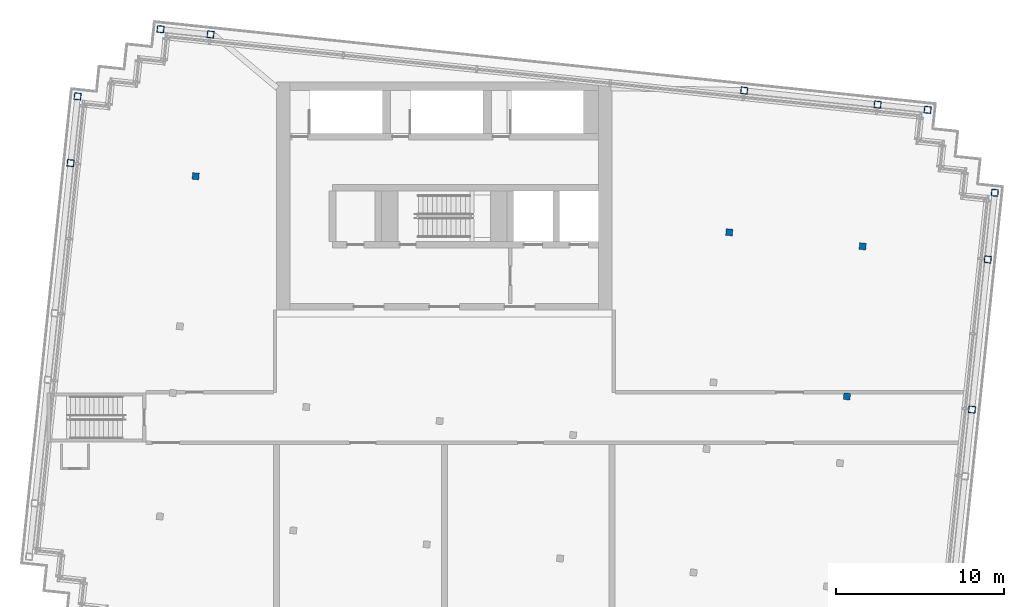
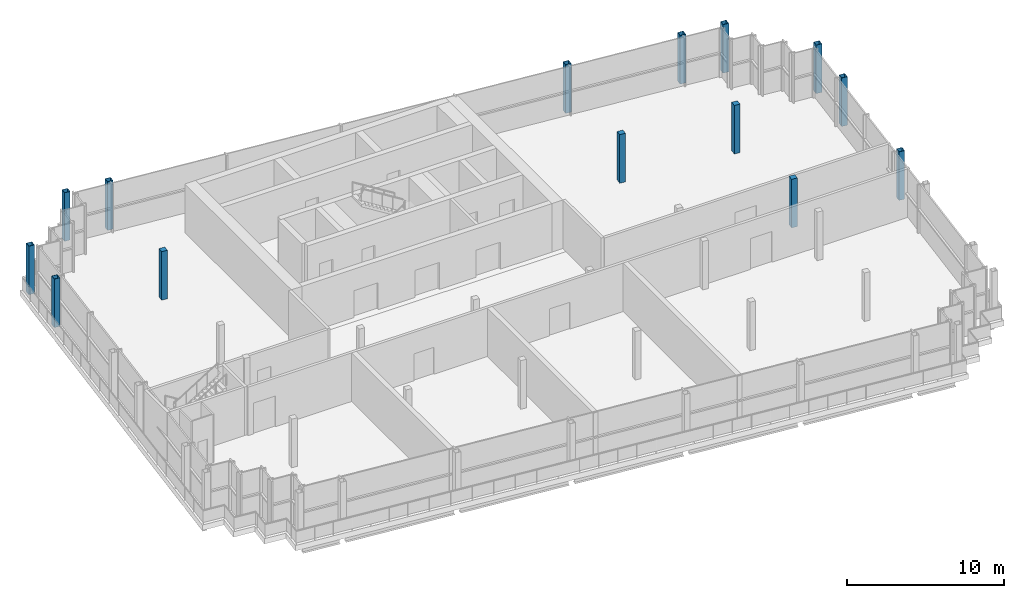
# One storey, part 2 of 13: 14 columns.
"""IFC4 building model written with IfcOpenShell, lengths in metres."""

from ifc_helpers import new_model, si_unit, direction, frame, origin, origin_2d, place, context, subcontext, project, spatial, rectangle, hollow_rectangle, extrude, material, material_profile, profile_set, type_object, element, save


model = new_model("IFC4")

# Units and contexts
model_context = context("Model", 3, precision=1e-05, world=origin(), true_north=direction((0.0, 1.0)))
body_context = subcontext(model_context, "Body", "Model", "MODEL_VIEW")
ifc_project = project(units=[si_unit("LENGTHUNIT", "METRE"), si_unit("AREAUNIT", "SQUARE_METRE"), si_unit("VOLUMEUNIT", "CUBIC_METRE"), si_unit("PLANEANGLEUNIT", "RADIAN"), si_unit("MASSUNIT", "GRAM", prefix="KILO")], contexts=[model_context])

# Site, building, storey
site_placement = place(None, origin())
site = spatial("IfcSite", under=ifc_project, at=site_placement, CompositionType="ELEMENT")
building_placement = place(site_placement, origin())
building = spatial("IfcBuilding", under=site, at=building_placement, Name="Vidyagriha Tower", CompositionType="ELEMENT")
storey_placement = place(building_placement, frame((0.0, 0.0, 309.199951171875)))
storey = spatial("IfcBuildingStorey", under=building, at=storey_placement, Name="L79", CompositionType="ELEMENT", Elevation=309.199951171875)

# Columns
ifc_material_1 = material(Name="Steel ASTM A572 Grade 50", Category="steel")
ifc_material_profile_1 = material_profile(ifc_material_1, hollow_rectangle(XDim=0.39990234375, YDim=0.39990234375, WallThickness=0.02001953125, at=origin_2d()), Name="BOX 400x400x20")
ifc_profile_set_1 = profile_set([ifc_material_profile_1], Name="Steel ASTM A572 Grade 50")
column_type_1 = type_object("IfcColumnType", Name="Exoskeleton column BOX 400x400x20", PredefinedType="COLUMN", material=ifc_profile_set_1)
for number, where, z_axis, x_axis, name in (
    (1, (31.4677734375, 0.47412109375, 0.0), (0.0, 0.0, 1.0), (0.994521895368, -0.104528463268, 0.0), "st-col-L79-B6-031"),
    (2, (-22.2900390625, 15.173828125, 0.0), (0.0, 0.0, 1.0), (0.994521895368, -0.104528463268, 0.0), "st-col-L79-B6-032"),
    (3, (32.40869140625, 9.4248046875, 0.0), (0.0, 0.0, 1.0), (0.994521895368, -0.104528463268, 0.0), "st-col-L79-B6-036"),
    (4, (-21.8720703125, 19.15185546875, 0.0), (0.0, 0.0, 1.0), (0.994521895368, -0.104528463268, 0.0), "st-col-L79-B6-037"),
    (5, (32.82666015625, 13.40283203125, 0.0), (0.0, 0.0, 1.0), (0.994521895368, -0.104528463268, 0.0), "st-col-L79-B6-038"),
    (6, (-16.92626953125, 23.156982421875, 0.0), (0.0, 0.0, 1.0), (0.994521895368, -0.104528463268, 0.0), "st-col-L79-B6-039"),
    (7, (-13.942626953125, 22.84326171875, 0.0), (0.0, 0.0, 1.0), (0.994521895368, -0.104528463268, 0.0), "st-col-L79-B6-040"),
    (8, (17.882080078125, 19.498291015625, 0.0), (0.0, 0.0, 1.0), (0.994521895368, -0.104528463268, 0.0), "st-col-L79-B6-041"),
    (9, (25.838134765625, 18.662109375, 0.0), (0.0, 0.0, 1.0), (0.994521895368, -0.104528463268, 0.0), "st-col-L79-B6-042"),
    (10, (28.82177734375, 18.3486328125, 0.0), (0.0, 0.0, 1.0), (0.994521895368, -0.104528463268, 0.0), "st-col-L79-B6-043"),
):
    element("IfcColumn", number, at=place(storey_placement, frame(where, z_axis=z_axis, x_axis=x_axis)), inside=storey, type_object=column_type_1, Name=name, PredefinedType="COLUMN", context=body_context, shape_type="SweptSolid", body=[
        extrude(hollow_rectangle(XDim=0.39990234375, YDim=0.39990234375, WallThickness=0.02001953125, at=origin_2d()), origin(), (0.0, 0.0, 1.0), 3.780029296875),
    ])
ifc_material_2 = material(Name="Concrete C60/75", Category="concrete")
ifc_material_profile_2 = material_profile(ifc_material_2, rectangle(XDim=0.39990234375, YDim=0.39990234375, at=origin_2d()), Name="RC 400x400")
ifc_profile_set_2 = profile_set([ifc_material_profile_2], Name="Concrete C60/75")
column_type_2 = type_object("IfcColumnType", Name="Frame column RC 400x400", PredefinedType="COLUMN", material=ifc_profile_set_2)
for number, where, z_axis, x_axis, name in (
    (11, (24.0087890625, 1.258056640625, 0.0), (0.0, 0.0, 1.0), (0.994521895368, -0.104528463268, 0.0), "st-col-L79-B6-030"),
    (12, (-14.831298828125, 14.389892578125, 0.0), (0.0, 0.0, 1.0), (0.994521895368, -0.104528463268, 0.0), "st-col-L79-B6-033"),
    (13, (16.993408203125, 11.044921875, 0.0), (0.0, 0.0, 1.0), (0.994521895368, -0.104528463268, 0.0), "st-col-L79-B6-034"),
    (14, (24.94970703125, 10.208740234375, 0.0), (0.0, 0.0, 1.0), (0.994521895368, -0.104528463268, 0.0), "st-col-L79-B6-035"),
):
    element("IfcColumn", number, at=place(storey_placement, frame(where, z_axis=z_axis, x_axis=x_axis)), inside=storey, type_object=column_type_2, Name=name, PredefinedType="COLUMN", context=body_context, shape_type="SweptSolid", body=[
        extrude(rectangle(XDim=0.39990234375, YDim=0.39990234375, at=origin_2d()), origin(), (0.0, 0.0, 1.0), 3.780029296875),
    ])

save(model, "model.ifc")
